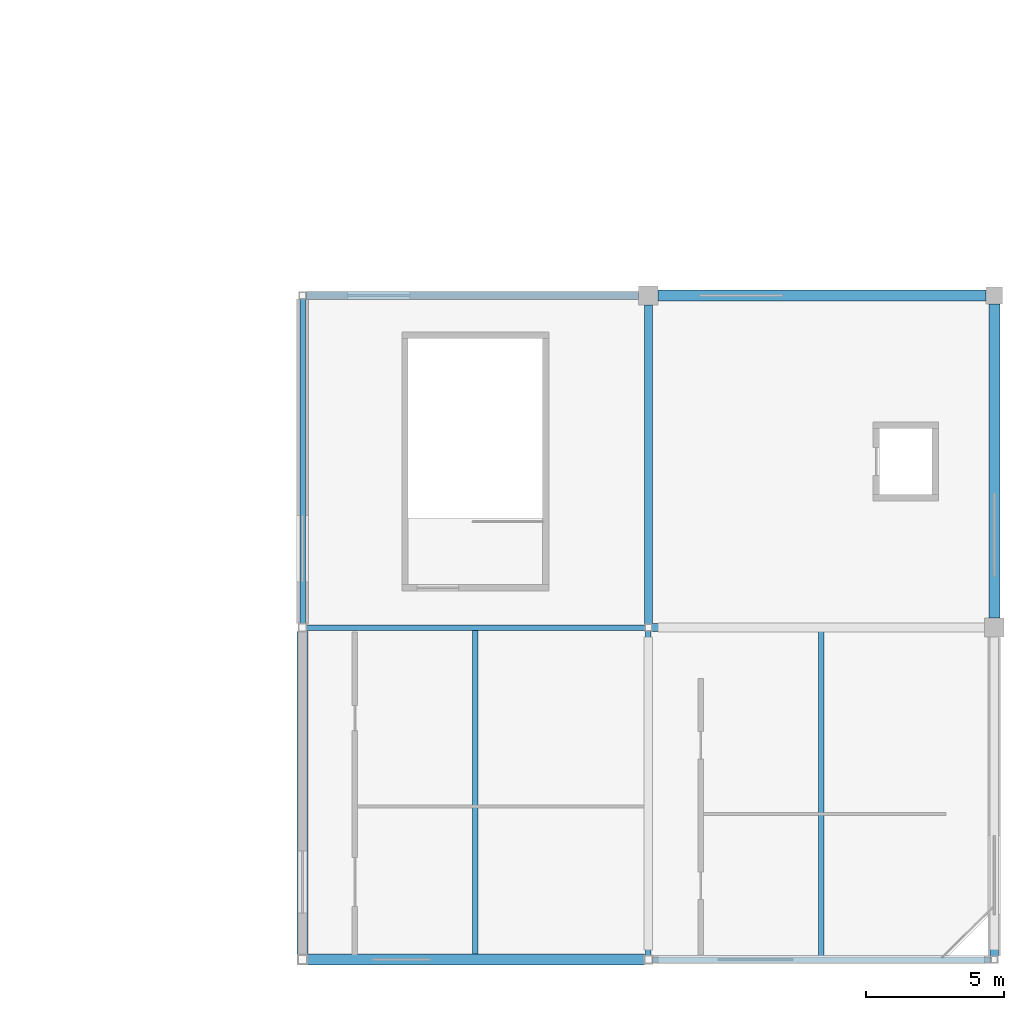
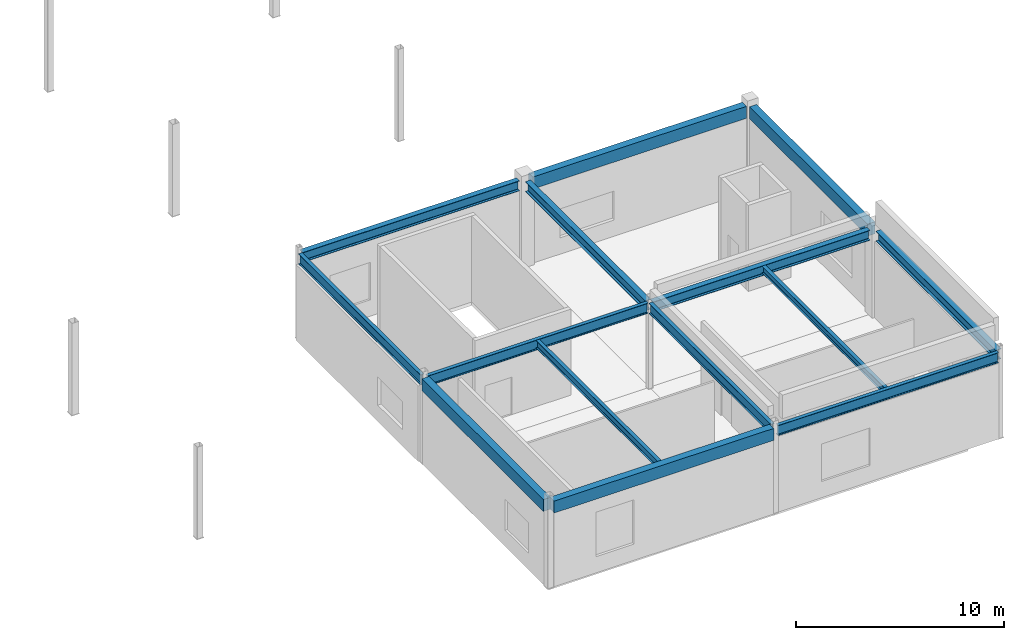
# One storey, part 37 of 76: 14 beams.
"""IFC4 building model written with IfcOpenShell, lengths in metres."""

from ifc_helpers import new_model, si_unit, direction, frame, origin, origin_2d, place, context, subcontext, project, spatial, rectangle, i_section, extrude, material, material_profile, profile_set, type_object, element, save


model = new_model("IFC4")

# Units and contexts
model_context = context("Model", 3, precision=1e-05, world=origin(), true_north=direction((0.0, 1.0)))
body_context = subcontext(model_context, "Body", "Model", "MODEL_VIEW")
ifc_project = project(units=[si_unit("LENGTHUNIT", "METRE"), si_unit("AREAUNIT", "SQUARE_METRE"), si_unit("VOLUMEUNIT", "CUBIC_METRE"), si_unit("PLANEANGLEUNIT", "RADIAN"), si_unit("MASSUNIT", "GRAM", prefix="KILO")], contexts=[model_context])

# Site, building, storey
site_placement = place(None, origin())
site = spatial("IfcSite", under=ifc_project, at=site_placement, CompositionType="ELEMENT")
building_placement = place(site_placement, origin())
building = spatial("IfcBuilding", under=site, at=building_placement, Name="Kazenohara Klinker Stadium", CompositionType="ELEMENT")
storey_placement = place(building_placement, frame((0.0, 0.0, 25.800048828125)))
storey = spatial("IfcBuildingStorey", under=building, at=storey_placement, Name="L05", CompositionType="ELEMENT", Elevation=25.800048828125)

# Beams
ifc_material_1 = material(Name="Steel S355", Category="steel")
ifc_material_profile_1 = material_profile(ifc_material_1, i_section(OverallWidth=0.199951171875, OverallDepth=0.449951171875, WebThickness=0.009033203125, FlangeThickness=0.013916015625, FilletRadius=0.012939453125, at=origin_2d()), Name="H-450x200x9x14")
ifc_profile_set_1 = profile_set([ifc_material_profile_1], Name="Steel S355")
beam_type_1 = type_object("IfcBeamType", Name="BM-JST02", PredefinedType="JOIST", material=ifc_profile_set_1)
beam_1_placement = place(storey_placement, frame((181.25, 12.199951171875, 4.81494140625), z_axis=(0.0, 1.0, 0.0), x_axis=(-1.0, 0.0, 0.0)))
element("IfcBeam", 1, at=beam_1_placement, inside=storey, type_object=beam_type_1, Name="Secondary floor joist SJ02 L05 15/B", PredefinedType="JOIST", context=body_context, shape_type="SweptSolid", body=[
    extrude(i_section(OverallWidth=0.199951171875, OverallDepth=0.449951171875, WebThickness=0.009033203125, FlangeThickness=0.013916015625, FilletRadius=0.012939453125, at=origin_2d()), origin(), (0.0, 0.0, 1.0), 11.699951171875),
])
ifc_material_profile_2 = material_profile(ifc_material_1, i_section(OverallWidth=0.199951171875, OverallDepth=0.39990234375, WebThickness=0.008056640625, FlangeThickness=0.012939453125, FilletRadius=0.012939453125, at=origin_2d()), Name="H-400x200x8x13")
ifc_profile_set_2 = profile_set([ifc_material_profile_2], Name="Steel S355")
beam_type_2 = type_object("IfcBeamType", Name="BM-JST03", PredefinedType="JOIST", material=ifc_profile_set_2)
beam_2_placement = place(storey_placement, frame((193.75, 12.10009765625, 4.83984375), z_axis=(0.0, 1.0, 0.0), x_axis=(-1.0, 0.0, 0.0)))
element("IfcBeam", 2, at=beam_2_placement, inside=storey, type_object=beam_type_2, Name="Secondary floor joist SJ03 L05 16/B", PredefinedType="JOIST", context=body_context, shape_type="SweptSolid", body=[
    extrude(i_section(OverallWidth=0.199951171875, OverallDepth=0.39990234375, WebThickness=0.008056640625, FlangeThickness=0.012939453125, FilletRadius=0.012939453125, at=origin_2d()), origin(), (0.0, 0.0, 1.0), 11.75),
])
ifc_material_2 = material(Name="Concrete C40/50", Category="concrete")
ifc_material_profile_3 = material_profile(ifc_material_2, rectangle(XDim=0.39990234375, YDim=0.699951171875, at=origin_2d()), Name="RC-BM-400x700")
ifc_profile_set_3 = profile_set([ifc_material_profile_3], Name="Concrete C40/50")
beam_type_3 = type_object("IfcBeamType", Name="BM-RC04", PredefinedType="BEAM", material=ifc_profile_set_3)
beam_3_placement = place(storey_placement, frame((175.175048828125, 12.0, 4.68994140625), z_axis=(1.0, 0.0, 0.0), x_axis=(0.0, 1.0, 0.0)))
element("IfcBeam", 3, at=beam_3_placement, inside=storey, type_object=beam_type_3, Name="Primary girder BG04 L05 15-16/B", PredefinedType="BEAM", context=body_context, shape_type="SweptSolid", body=[
    extrude(rectangle(XDim=0.39990234375, YDim=0.699951171875, at=origin_2d()), origin(), (0.0, 0.0, 1.0), 12.175048828125),
])
beam_4_placement = place(storey_placement, frame((187.85009765625, 36.0, 4.68994140625), z_axis=(1.0, 0.0, 0.0), x_axis=(0.0, 1.0, 0.0)))
element("IfcBeam", 4, at=beam_4_placement, inside=storey, type_object=beam_type_3, Name="Primary girder BG04 L05 16-17/D", PredefinedType="BEAM", context=body_context, shape_type="SweptSolid", body=[
    extrude(rectangle(XDim=0.39990234375, YDim=0.699951171875, at=origin_2d()), origin(), (0.0, 0.0, 1.0), 11.849853515625),
])
beam_5_placement = place(storey_placement, frame((175.0, 12.175048828125, 4.68994140625), z_axis=(0.0, 1.0, 0.0), x_axis=(-1.0, 0.0, 0.0)))
element("IfcBeam", 5, at=beam_5_placement, inside=storey, type_object=beam_type_3, Name="Primary girder BG04 L05 15/B-C", PredefinedType="BEAM", context=body_context, shape_type="SweptSolid", body=[
    extrude(rectangle(XDim=0.39990234375, YDim=0.699951171875, at=origin_2d()), origin(), (0.0, 0.0, 1.0), 11.675048828125),
])
beam_6_placement = place(storey_placement, frame((200.0, 24.35009765625, 4.68994140625), z_axis=(0.0, 1.0, 0.0), x_axis=(-1.0, 0.0, 0.0)))
element("IfcBeam", 6, at=beam_6_placement, inside=storey, type_object=beam_type_3, Name="Primary girder BG04 L05 17/C-D", PredefinedType="BEAM", context=body_context, shape_type="SweptSolid", body=[
    extrude(rectangle(XDim=0.39990234375, YDim=0.699951171875, at=origin_2d()), origin(), (0.0, 0.0, 1.0), 11.349853515625),
])
ifc_material_profile_4 = material_profile(ifc_material_1, i_section(OverallWidth=0.199951171875, OverallDepth=0.60009765625, WebThickness=0.010986328125, FlangeThickness=0.01708984375, FilletRadius=0.012939453125, at=origin_2d()), Name="H-600x200x11x17")
ifc_profile_set_4 = profile_set([ifc_material_profile_4], Name="Steel S355")
beam_type_4 = type_object("IfcBeamType", Name="BM-ST04", PredefinedType="BEAM", material=ifc_profile_set_4)
for number, where, z_axis, x_axis, name in (
    (7, (175.14990234375, 24.0, 4.739990234375), (1.0, 0.0, 0.0), (0.0, 1.0, 0.0), "Primary girder SB04 L05 15-16/C"),
    (8, (187.64990234375, 12.0, 4.739990234375), (1.0, 0.0, 0.0), (0.0, 1.0, 0.0), "Primary girder SB04 L05 16-17/B"),
):
    element("IfcBeam", number, at=place(storey_placement, frame(where, z_axis=z_axis, x_axis=x_axis)), inside=storey, type_object=beam_type_4, Name=name, PredefinedType="BEAM", context=body_context, shape_type="SweptSolid", body=[
        extrude(i_section(OverallWidth=0.199951171875, OverallDepth=0.60009765625, WebThickness=0.010986328125, FlangeThickness=0.01708984375, FilletRadius=0.012939453125, at=origin_2d()), origin(), (0.0, 0.0, 1.0), 12.22509765625),
    ])
for number, where, z_axis, x_axis, name in (
    (9, (175.0, 24.14990234375, 4.739990234375), (0.0, 1.0, 0.0), (-1.0, 0.0, 0.0), "Primary girder SB04 L05 15/C-D"),
    (10, (187.5, 12.14990234375, 4.739990234375), (0.0, 1.0, 0.0), (-1.0, 0.0, 0.0), "Primary girder SB04 L05 16/B-C"),
):
    element("IfcBeam", number, at=place(storey_placement, frame(where, z_axis=z_axis, x_axis=x_axis)), inside=storey, type_object=beam_type_4, Name=name, PredefinedType="BEAM", context=body_context, shape_type="SweptSolid", body=[
        extrude(i_section(OverallWidth=0.199951171875, OverallDepth=0.60009765625, WebThickness=0.010986328125, FlangeThickness=0.01708984375, FilletRadius=0.012939453125, at=origin_2d()), origin(), (0.0, 0.0, 1.0), 11.72509765625),
    ])
ifc_material_profile_5 = material_profile(ifc_material_1, i_section(OverallWidth=0.300048828125, OverallDepth=0.587890625, WebThickness=0.011962890625, FlangeThickness=0.02001953125, FilletRadius=0.02197265625, at=origin_2d()), Name="H-588x300x12x20")
ifc_profile_set_5 = profile_set([ifc_material_profile_5], Name="Steel S355")
beam_type_5 = type_object("IfcBeamType", Name="BM-ST05", PredefinedType="BEAM", material=ifc_profile_set_5)
for number, where, z_axis, x_axis, name in (
    (11, (175.125, 36.0, 4.745849609375), (1.0, 0.0, 0.0), (0.0, 1.0, 0.0), "Primary girder SB05 L05 15-16/D"),
    (12, (187.625, 24.0, 4.745849609375), (1.0, 0.0, 0.0), (0.0, 1.0, 0.0), "Primary girder SB05 L05 16-17/C"),
):
    element("IfcBeam", number, at=place(storey_placement, frame(where, z_axis=z_axis, x_axis=x_axis)), inside=storey, type_object=beam_type_5, Name=name, PredefinedType="BEAM", context=body_context, shape_type="SweptSolid", body=[
        extrude(i_section(OverallWidth=0.300048828125, OverallDepth=0.587890625, WebThickness=0.011962890625, FlangeThickness=0.02001953125, FilletRadius=0.02197265625, at=origin_2d()), origin(), (0.0, 0.0, 1.0), 12.02490234375),
    ])
for number, where, z_axis, x_axis, name in (
    (13, (187.5, 24.125, 4.745849609375), (0.0, 1.0, 0.0), (-1.0, 0.0, 0.0), "Primary girder SB05 L05 16/C-D"),
    (14, (200.0, 12.125, 4.745849609375), (0.0, 1.0, 0.0), (-1.0, 0.0, 0.0), "Primary girder SB05 L05 17/B-C"),
):
    element("IfcBeam", number, at=place(storey_placement, frame(where, z_axis=z_axis, x_axis=x_axis)), inside=storey, type_object=beam_type_5, Name=name, PredefinedType="BEAM", context=body_context, shape_type="SweptSolid", body=[
        extrude(i_section(OverallWidth=0.300048828125, OverallDepth=0.587890625, WebThickness=0.011962890625, FlangeThickness=0.02001953125, FilletRadius=0.02197265625, at=origin_2d()), origin(), (0.0, 0.0, 1.0), 11.52490234375),
    ])

save(model, "model.ifc")
